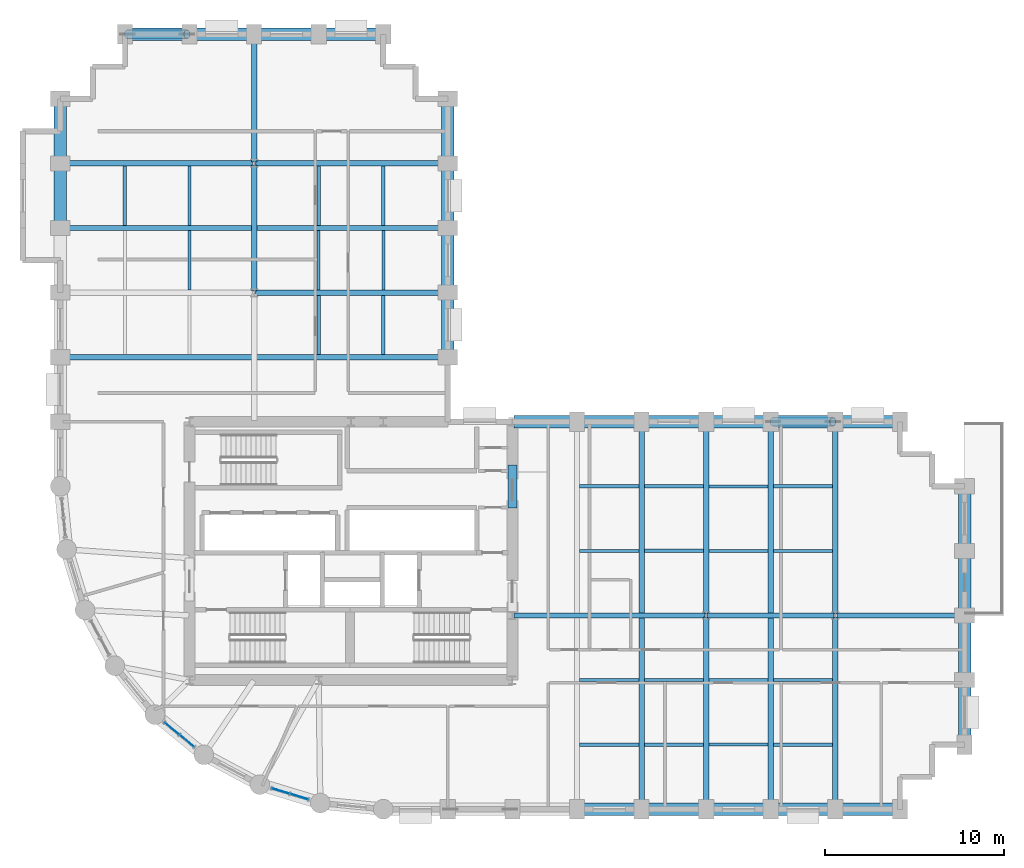
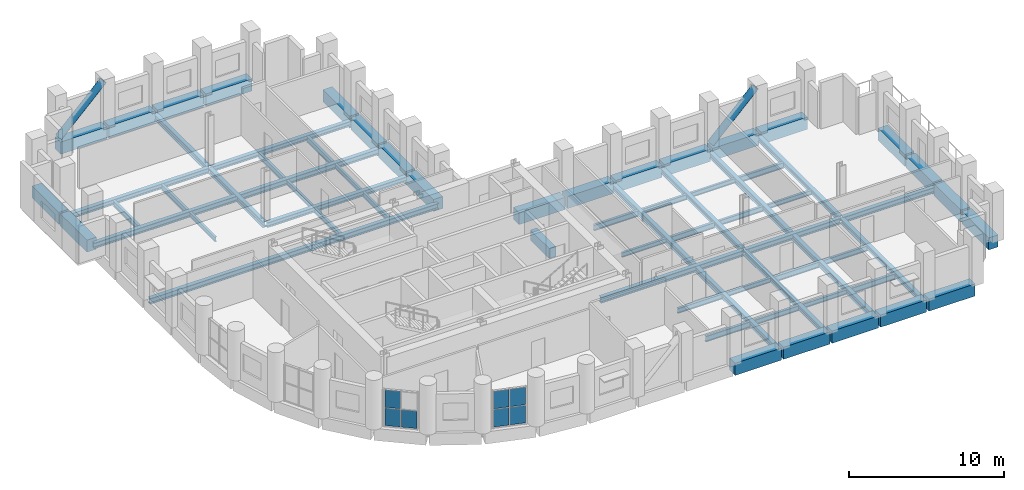
# One storey, part 6 of 13: 67 beams, 7 plates, 2 members, 2 elements without a shape of their own.
"""IFC4 building model written with IfcOpenShell, lengths in metres."""

from ifc_helpers import new_model, si_unit, direction, frame, origin, origin_2d, place, context, subcontext, project, spatial, rectangle, hollow_circle, i_section, extrude, material, layer, layer_set, material_profile, profile_set, type_object, element, aggregate, save


model = new_model("IFC4")

# Units and contexts
model_context = context("Model", 3, precision=1e-05, world=origin(), true_north=direction((0.0, 1.0)))
body_context = subcontext(model_context, "Body", "Model", "MODEL_VIEW")
ifc_project = project(units=[si_unit("LENGTHUNIT", "METRE"), si_unit("AREAUNIT", "SQUARE_METRE"), si_unit("VOLUMEUNIT", "CUBIC_METRE"), si_unit("PLANEANGLEUNIT", "RADIAN"), si_unit("MASSUNIT", "GRAM", prefix="KILO")], contexts=[model_context])

# Site, building, storey
site_placement = place(None, origin())
site = spatial("IfcSite", under=ifc_project, at=site_placement, CompositionType="ELEMENT")
building_placement = place(site_placement, origin())
building = spatial("IfcBuilding", under=site, at=building_placement, Name="Solnavia Interchange Tower", CompositionType="ELEMENT")
storey_placement = place(building_placement, frame((0.0, 0.0, 87.89990234375)))
storey = spatial("IfcBuildingStorey", under=building, at=storey_placement, Name="L21", CompositionType="ELEMENT", Elevation=87.89990234375)

# Beams
ifc_material_1 = material(Name="Concrete C50/60", Category="concrete")
ifc_material_profile_1 = material_profile(ifc_material_1, rectangle(XDim=0.5, YDim=0.800048828125, at=origin_2d()), Name="RC 500x800")
ifc_profile_set_1 = profile_set([ifc_material_profile_1], Name="Concrete C50/60")
beam_type_1 = type_object("IfcBeamType", Name="Beam-Coupling-RC500x800", PredefinedType="LINTEL", material=ifc_profile_set_1)
beam_1_placement = place(storey_placement, frame((32.39990234375, 20.39990234375, -0.39990234375), z_axis=(0.0, 1.0, 0.0), x_axis=(-1.0, 0.0, 0.0)))
element("IfcBeam", 1, at=beam_1_placement, inside=storey, type_object=beam_type_1, Name="CPB-L21-E2 Core coupling lintel beam", PredefinedType="LINTEL", context=body_context, shape_type="SweptSolid", body=[
    extrude(rectangle(XDim=0.5, YDim=0.800048828125, at=origin_2d()), origin(), (0.0, 0.0, 1.0), 2.400146484375),
])
ifc_material_2 = material(Name="Steel S460", Category="steel")
ifc_material_profile_2 = material_profile(ifc_material_2, i_section(OverallWidth=0.300048828125, OverallDepth=0.449951171875, WebThickness=0.013916015625, FlangeThickness=0.02587890625, FilletRadius=0.027099609375, at=origin_2d()), Name="HEB 450")
ifc_profile_set_2 = profile_set([ifc_material_profile_2], Name="Steel S460")
beam_type_2 = type_object("IfcBeamType", Name="Beam-Girder-HEB450", PredefinedType="BEAM", material=ifc_profile_set_2)
beam_2_placement = place(storey_placement, frame((32.47998046875, 14.39990234375, -0.474853515625), z_axis=(1.0, 0.0, 0.0), x_axis=(0.0, 1.0, 0.0)))
element("IfcBeam", 2, at=beam_2_placement, inside=storey, type_object=beam_type_2, Name="GRD-L21-ES01 East wing spine girder", PredefinedType="BEAM", context=body_context, shape_type="SweptSolid", body=[
    extrude(i_section(OverallWidth=0.300048828125, OverallDepth=0.449951171875, WebThickness=0.013916015625, FlangeThickness=0.02587890625, FilletRadius=0.027099609375, at=origin_2d()), origin(), (0.0, 0.0, 1.0), 10.64013671875),
])
for number, where, z_axis, x_axis, name in (
    (3, (43.280029296875, 14.39990234375, -0.474853515625), (1.0, 0.0, 0.0), (0.0, 1.0, 0.0), "GRD-L21-ES02 East wing spine girder"),
    (4, (50.47998046875, 14.39990234375, -0.474853515625), (1.0, 0.0, 0.0), (0.0, 1.0, 0.0), "GRD-L21-ES03 East wing spine girder"),
    (5, (18.0, 32.47998046875, -0.474853515625), (0.0, 1.0, 0.0), (-1.0, 0.0, 0.0), "GRD-L21-NS12 North wing spine girder"),
    (6, (18.0, 39.679931640625, -0.474853515625), (0.0, 1.0, 0.0), (-1.0, 0.0, 0.0), "GRD-L21-NS13 North wing spine girder"),
):
    element("IfcBeam", number, at=place(storey_placement, frame(where, z_axis=z_axis, x_axis=x_axis)), inside=storey, type_object=beam_type_2, Name=name, PredefinedType="BEAM", context=body_context, shape_type="SweptSolid", body=[
        extrude(i_section(OverallWidth=0.300048828125, OverallDepth=0.449951171875, WebThickness=0.013916015625, FlangeThickness=0.02587890625, FilletRadius=0.027099609375, at=origin_2d()), origin(), (0.0, 0.0, 1.0), 7.0400390625),
    ])
ifc_material_3 = material(Name="Steel S355", Category="steel")
ifc_material_profile_3 = material_profile(ifc_material_3, i_section(OverallWidth=0.169921875, OverallDepth=0.360107421875, WebThickness=0.008056640625, FlangeThickness=0.0126953125, FilletRadius=0.01806640625, at=origin_2d()), Name="IPE 360")
ifc_profile_set_3 = profile_set([ifc_material_profile_3], Name="Steel S355")
beam_type_3 = type_object("IfcBeamType", Name="Beam-Joist-IPE360", PredefinedType="JOIST", material=ifc_profile_set_3)
beam_3_placement = place(storey_placement, frame((43.35009765625, 7.199951171875, -0.429931640625), z_axis=(1.0, 0.0, 0.0), x_axis=(0.0, 1.0, 0.0)))
element("IfcBeam", 7, at=beam_3_placement, inside=storey, type_object=beam_type_3, Name="JST-L21-E03 East wing secondary joist", PredefinedType="JOIST", context=body_context, shape_type="SweptSolid", body=[
    extrude(i_section(OverallWidth=0.169921875, OverallDepth=0.360107421875, WebThickness=0.008056640625, FlangeThickness=0.0126953125, FilletRadius=0.01806640625, at=origin_2d()), origin(), (0.0, 0.0, 1.0), 3.2998046875),
])
for number, where, z_axis, x_axis, name in (
    (8, (39.75, 10.800048828125, -0.429931640625), (1.0, 0.0, 0.0), (0.0, 1.0, 0.0), "JST-L21-E06 East wing secondary joist"),
    (9, (36.14990234375, 18.0, -0.429931640625), (1.0, 0.0, 0.0), (0.0, 1.0, 0.0), "JST-L21-E09 East wing secondary joist"),
    (10, (46.949951171875, 18.0, -0.429931640625), (1.0, 0.0, 0.0), (0.0, 1.0, 0.0), "JST-L21-E12 East wing secondary joist"),
):
    element("IfcBeam", number, at=place(storey_placement, frame(where, z_axis=z_axis, x_axis=x_axis)), inside=storey, type_object=beam_type_3, Name=name, PredefinedType="JOIST", context=body_context, shape_type="SweptSolid", body=[
        extrude(i_section(OverallWidth=0.169921875, OverallDepth=0.360107421875, WebThickness=0.008056640625, FlangeThickness=0.0126953125, FilletRadius=0.01806640625, at=origin_2d()), origin(), (0.0, 0.0, 1.0), 3.300048828125),
    ])
beam_4_placement = place(storey_placement, frame((43.35009765625, 21.60009765625, -0.429931640625), z_axis=(1.0, 0.0, 0.0), x_axis=(0.0, 1.0, 0.0)))
element("IfcBeam", 11, at=beam_4_placement, inside=storey, type_object=beam_type_3, Name="JST-L21-E15 East wing secondary joist", PredefinedType="JOIST", context=body_context, shape_type="SweptSolid", body=[
    extrude(i_section(OverallWidth=0.169921875, OverallDepth=0.360107421875, WebThickness=0.008056640625, FlangeThickness=0.0126953125, FilletRadius=0.01806640625, at=origin_2d()), origin(), (0.0, 0.0, 1.0), 3.2998046875),
])
for number, where, z_axis, x_axis, name in (
    (12, (14.39990234375, 32.550048828125, -0.429931640625), (0.0, 1.0, 0.0), (-1.0, 0.0, 0.0), "JST-L21-N21 North wing secondary joist"),
    (13, (21.60009765625, 32.550048828125, -0.429931640625), (0.0, 1.0, 0.0), (-1.0, 0.0, 0.0), "JST-L21-N24 North wing secondary joist"),
    (14, (25.199951171875, 32.550048828125, -0.429931640625), (0.0, 1.0, 0.0), (-1.0, 0.0, 0.0), "JST-L21-N27 North wing secondary joist"),
):
    element("IfcBeam", number, at=place(storey_placement, frame(where, z_axis=z_axis, x_axis=x_axis)), inside=storey, type_object=beam_type_3, Name=name, PredefinedType="JOIST", context=body_context, shape_type="SweptSolid", body=[
        extrude(i_section(OverallWidth=0.169921875, OverallDepth=0.360107421875, WebThickness=0.008056640625, FlangeThickness=0.0126953125, FilletRadius=0.01806640625, at=origin_2d()), origin(), (0.0, 0.0, 1.0), 3.300048828125),
    ])
ifc_material_profile_4 = material_profile(ifc_material_3, i_section(OverallWidth=0.179931640625, OverallDepth=0.39990234375, WebThickness=0.008544921875, FlangeThickness=0.013427734375, FilletRadius=0.02099609375, at=origin_2d()), Name="IPE 400")
ifc_profile_set_4 = profile_set([ifc_material_profile_4], Name="Steel S355")
beam_type_4 = type_object("IfcBeamType", Name="Beam-Joist-IPE400", PredefinedType="JOIST", material=ifc_profile_set_4)
for number, where, z_axis, x_axis, name in (
    (15, (39.75, 7.199951171875, -0.449951171875), (1.0, 0.0, 0.0), (0.0, 1.0, 0.0), "JST-L21-E02 East wing secondary joist"),
    (16, (36.14990234375, 10.800048828125, -0.449951171875), (1.0, 0.0, 0.0), (0.0, 1.0, 0.0), "JST-L21-E05 East wing secondary joist"),
    (17, (46.949951171875, 10.800048828125, -0.449951171875), (1.0, 0.0, 0.0), (0.0, 1.0, 0.0), "JST-L21-E08 East wing secondary joist"),
):
    element("IfcBeam", number, at=place(storey_placement, frame(where, z_axis=z_axis, x_axis=x_axis)), inside=storey, type_object=beam_type_4, Name=name, PredefinedType="JOIST", context=body_context, shape_type="SweptSolid", body=[
        extrude(i_section(OverallWidth=0.179931640625, OverallDepth=0.39990234375, WebThickness=0.008544921875, FlangeThickness=0.013427734375, FilletRadius=0.02099609375, at=origin_2d()), origin(), (0.0, 0.0, 1.0), 3.300048828125),
    ])
beam_5_placement = place(storey_placement, frame((43.35009765625, 18.0, -0.449951171875), z_axis=(1.0, 0.0, 0.0), x_axis=(0.0, 1.0, 0.0)))
element("IfcBeam", 18, at=beam_5_placement, inside=storey, type_object=beam_type_4, Name="JST-L21-E11 East wing secondary joist", PredefinedType="JOIST", context=body_context, shape_type="SweptSolid", body=[
    extrude(i_section(OverallWidth=0.179931640625, OverallDepth=0.39990234375, WebThickness=0.008544921875, FlangeThickness=0.013427734375, FilletRadius=0.02099609375, at=origin_2d()), origin(), (0.0, 0.0, 1.0), 3.2998046875),
])
for number, where, z_axis, x_axis, name in (
    (19, (39.75, 21.60009765625, -0.449951171875), (1.0, 0.0, 0.0), (0.0, 1.0, 0.0), "JST-L21-E14 East wing secondary joist"),
    (20, (21.60009765625, 28.949951171875, -0.449951171875), (0.0, 1.0, 0.0), (-1.0, 0.0, 0.0), "JST-L21-N23 North wing secondary joist"),
    (21, (25.199951171875, 28.949951171875, -0.449951171875), (0.0, 1.0, 0.0), (-1.0, 0.0, 0.0), "JST-L21-N26 North wing secondary joist"),
):
    element("IfcBeam", number, at=place(storey_placement, frame(where, z_axis=z_axis, x_axis=x_axis)), inside=storey, type_object=beam_type_4, Name=name, PredefinedType="JOIST", context=body_context, shape_type="SweptSolid", body=[
        extrude(i_section(OverallWidth=0.179931640625, OverallDepth=0.39990234375, WebThickness=0.008544921875, FlangeThickness=0.013427734375, FilletRadius=0.02099609375, at=origin_2d()), origin(), (0.0, 0.0, 1.0), 3.300048828125),
    ])
ifc_material_profile_5 = material_profile(ifc_material_3, i_section(OverallWidth=0.18994140625, OverallDepth=0.449951171875, WebThickness=0.009521484375, FlangeThickness=0.0146484375, FilletRadius=0.02099609375, at=origin_2d()), Name="IPE 450")
ifc_profile_set_5 = profile_set([ifc_material_profile_5], Name="Steel S355")
beam_type_5 = type_object("IfcBeamType", Name="Beam-Joist-IPE450", PredefinedType="JOIST", material=ifc_profile_set_5)
for number, where, z_axis, x_axis, name in (
    (22, (36.14990234375, 7.199951171875, -0.474853515625), (1.0, 0.0, 0.0), (0.0, 1.0, 0.0), "JST-L21-E01 East wing secondary joist"),
    (23, (46.949951171875, 7.199951171875, -0.474853515625), (1.0, 0.0, 0.0), (0.0, 1.0, 0.0), "JST-L21-E04 East wing secondary joist"),
):
    element("IfcBeam", number, at=place(storey_placement, frame(where, z_axis=z_axis, x_axis=x_axis)), inside=storey, type_object=beam_type_5, Name=name, PredefinedType="JOIST", context=body_context, shape_type="SweptSolid", body=[
        extrude(i_section(OverallWidth=0.18994140625, OverallDepth=0.449951171875, WebThickness=0.009521484375, FlangeThickness=0.0146484375, FilletRadius=0.02099609375, at=origin_2d()), origin(), (0.0, 0.0, 1.0), 3.300048828125),
    ])
beam_6_placement = place(storey_placement, frame((43.35009765625, 10.800048828125, -0.474853515625), z_axis=(1.0, 0.0, 0.0), x_axis=(0.0, 1.0, 0.0)))
element("IfcBeam", 24, at=beam_6_placement, inside=storey, type_object=beam_type_5, Name="JST-L21-E07 East wing secondary joist", PredefinedType="JOIST", context=body_context, shape_type="SweptSolid", body=[
    extrude(i_section(OverallWidth=0.18994140625, OverallDepth=0.449951171875, WebThickness=0.009521484375, FlangeThickness=0.0146484375, FilletRadius=0.02099609375, at=origin_2d()), origin(), (0.0, 0.0, 1.0), 3.2998046875),
])
for number, where, z_axis, x_axis, name in (
    (25, (39.75, 18.0, -0.474853515625), (1.0, 0.0, 0.0), (0.0, 1.0, 0.0), "JST-L21-E10 East wing secondary joist"),
    (26, (36.14990234375, 21.60009765625, -0.474853515625), (1.0, 0.0, 0.0), (0.0, 1.0, 0.0), "JST-L21-E13 East wing secondary joist"),
    (27, (46.949951171875, 21.60009765625, -0.474853515625), (1.0, 0.0, 0.0), (0.0, 1.0, 0.0), "JST-L21-E16 East wing secondary joist"),
    (28, (10.800048828125, 36.14990234375, -0.474853515625), (0.0, 1.0, 0.0), (-1.0, 0.0, 0.0), "JST-L21-N19 North wing secondary joist"),
    (29, (14.39990234375, 36.14990234375, -0.474853515625), (0.0, 1.0, 0.0), (-1.0, 0.0, 0.0), "JST-L21-N22 North wing secondary joist"),
    (30, (21.60009765625, 36.14990234375, -0.474853515625), (0.0, 1.0, 0.0), (-1.0, 0.0, 0.0), "JST-L21-N25 North wing secondary joist"),
    (31, (25.199951171875, 36.14990234375, -0.474853515625), (0.0, 1.0, 0.0), (-1.0, 0.0, 0.0), "JST-L21-N28 North wing secondary joist"),
):
    element("IfcBeam", number, at=place(storey_placement, frame(where, z_axis=z_axis, x_axis=x_axis)), inside=storey, type_object=beam_type_5, Name=name, PredefinedType="JOIST", context=body_context, shape_type="SweptSolid", body=[
        extrude(i_section(OverallWidth=0.18994140625, OverallDepth=0.449951171875, WebThickness=0.009521484375, FlangeThickness=0.0146484375, FilletRadius=0.02099609375, at=origin_2d()), origin(), (0.0, 0.0, 1.0), 3.300048828125),
    ])
ifc_material_profile_6 = material_profile(ifc_material_3, i_section(OverallWidth=0.300048828125, OverallDepth=0.389892578125, WebThickness=0.010986328125, FlangeThickness=0.01904296875, FilletRadius=0.027099609375, at=origin_2d()), Name="HEA 400")
ifc_profile_set_6 = profile_set([ifc_material_profile_6], Name="Steel S355")
beam_type_6 = type_object("IfcBeamType", Name="Beam-Primary-HEA400", PredefinedType="BEAM", material=ifc_profile_set_6)
for number, where, z_axis, x_axis, name in (
    (32, (43.199951171875, 3.679931640625, -0.44482421875), (0.0, 1.0, 0.0), (-1.0, 0.0, 0.0), "GRD-L21-EW06 East wing primary floor girder"),
    (33, (43.199951171875, 14.47998046875, -0.44482421875), (0.0, 1.0, 0.0), (-1.0, 0.0, 0.0), "GRD-L21-EW07 East wing primary floor girder"),
    (34, (50.39990234375, 3.679931640625, -0.44482421875), (0.0, 1.0, 0.0), (-1.0, 0.0, 0.0), "GRD-L21-EW09 East wing primary floor girder"),
    (35, (50.39990234375, 14.47998046875, -0.44482421875), (0.0, 1.0, 0.0), (-1.0, 0.0, 0.0), "GRD-L21-EW10 East wing primary floor girder"),
):
    element("IfcBeam", number, at=place(storey_placement, frame(where, z_axis=z_axis, x_axis=x_axis)), inside=storey, type_object=beam_type_6, Name=name, PredefinedType="BEAM", context=body_context, shape_type="SweptSolid", body=[
        extrude(i_section(OverallWidth=0.300048828125, OverallDepth=0.389892578125, WebThickness=0.010986328125, FlangeThickness=0.01904296875, FilletRadius=0.027099609375, at=origin_2d()), origin(), (0.0, 0.0, 1.0), 10.64013671875),
    ])
for number, where, z_axis, x_axis, name in (
    (36, (18.080078125, 32.39990234375, -0.44482421875), (1.0, 0.0, 0.0), (0.0, 1.0, 0.0), "GRD-L21-NW16 North wing primary floor girder"),
    (37, (7.280029296875, 39.60009765625, -0.44482421875), (1.0, 0.0, 0.0), (0.0, 1.0, 0.0), "GRD-L21-NW18 North wing primary floor girder"),
    (38, (18.080078125, 39.60009765625, -0.44482421875), (1.0, 0.0, 0.0), (0.0, 1.0, 0.0), "GRD-L21-NW19 North wing primary floor girder"),
):
    element("IfcBeam", number, at=place(storey_placement, frame(where, z_axis=z_axis, x_axis=x_axis)), inside=storey, type_object=beam_type_6, Name=name, PredefinedType="BEAM", context=body_context, shape_type="SweptSolid", body=[
        extrude(i_section(OverallWidth=0.300048828125, OverallDepth=0.389892578125, WebThickness=0.010986328125, FlangeThickness=0.01904296875, FilletRadius=0.027099609375, at=origin_2d()), origin(), (0.0, 0.0, 1.0), 10.639892578125),
    ])
ifc_material_profile_7 = material_profile(ifc_material_3, i_section(OverallWidth=0.300048828125, OverallDepth=0.43994140625, WebThickness=0.011474609375, FlangeThickness=0.02099609375, FilletRadius=0.027099609375, at=origin_2d()), Name="HEA 450")
ifc_profile_set_7 = profile_set([ifc_material_profile_7], Name="Steel S355")
beam_type_7 = type_object("IfcBeamType", Name="Beam-Primary-HEA450", PredefinedType="BEAM", material=ifc_profile_set_7)
for number, where, z_axis, x_axis, name in (
    (39, (39.60009765625, 3.679931640625, -0.469970703125), (0.0, 1.0, 0.0), (-1.0, 0.0, 0.0), "GRD-L21-EW05 East wing primary floor girder"),
    (40, (46.800048828125, 3.679931640625, -0.469970703125), (0.0, 1.0, 0.0), (-1.0, 0.0, 0.0), "GRD-L21-EW08 East wing primary floor girder"),
):
    element("IfcBeam", number, at=place(storey_placement, frame(where, z_axis=z_axis, x_axis=x_axis)), inside=storey, type_object=beam_type_7, Name=name, PredefinedType="BEAM", context=body_context, shape_type="SweptSolid", body=[
        extrude(i_section(OverallWidth=0.300048828125, OverallDepth=0.43994140625, WebThickness=0.011474609375, FlangeThickness=0.02099609375, FilletRadius=0.027099609375, at=origin_2d()), origin(), (0.0, 0.0, 1.0), 21.440185546875),
    ])
for number, where, z_axis, x_axis, name in (
    (41, (7.280029296875, 28.800048828125, -0.469970703125), (1.0, 0.0, 0.0), (0.0, 1.0, 0.0), "GRD-L21-NW14 North wing primary floor girder"),
    (42, (7.280029296875, 36.0, -0.469970703125), (1.0, 0.0, 0.0), (0.0, 1.0, 0.0), "GRD-L21-NW17 North wing primary floor girder"),
):
    element("IfcBeam", number, at=place(storey_placement, frame(where, z_axis=z_axis, x_axis=x_axis)), inside=storey, type_object=beam_type_7, Name=name, PredefinedType="BEAM", context=body_context, shape_type="SweptSolid", body=[
        extrude(i_section(OverallWidth=0.300048828125, OverallDepth=0.43994140625, WebThickness=0.011474609375, FlangeThickness=0.02099609375, FilletRadius=0.027099609375, at=origin_2d()), origin(), (0.0, 0.0, 1.0), 21.43994140625),
    ])
ifc_material_profile_8 = material_profile(ifc_material_1, rectangle(XDim=0.699951171875, YDim=0.949951171875, at=origin_2d()), Name="RC 700x950")
ifc_profile_set_8 = profile_set([ifc_material_profile_8], Name="Concrete C50/60")
beam_type_8 = type_object("IfcBeamType", Name="Beam-Spandrel-RC700x950", PredefinedType="SPANDREL", material=ifc_profile_set_8)
beam_7_placement = place(storey_placement, frame((36.080078125, 3.60009765625, -0.474853515625), z_axis=(1.0, 0.0, 0.0), x_axis=(0.0, 1.0, 0.0)))
element("IfcBeam", 43, at=beam_7_placement, inside=storey, type_object=beam_type_8, Name="SPB-L21-12 Framed-tube perimeter spandrel beam", PredefinedType="SPANDREL", context=body_context, shape_type="SweptSolid", body=[
    extrude(rectangle(XDim=0.699951171875, YDim=0.949951171875, at=origin_2d()), origin(), (0.0, 0.0, 1.0), 3.43994140625),
])
beam_8_placement = place(storey_placement, frame((39.679931640625, 3.60009765625, -0.474853515625), z_axis=(1.0, 0.0, 0.0), x_axis=(0.0, 1.0, 0.0)))
element("IfcBeam", 44, at=beam_8_placement, inside=storey, type_object=beam_type_8, Name="SPB-L21-13 Framed-tube perimeter spandrel beam", PredefinedType="SPANDREL", context=body_context, shape_type="SweptSolid", body=[
    extrude(rectangle(XDim=0.699951171875, YDim=0.949951171875, at=origin_2d()), origin(), (0.0, 0.0, 1.0), 3.440185546875),
])
beam_9_placement = place(storey_placement, frame((43.280029296875, 3.60009765625, -0.474853515625), z_axis=(1.0, 0.0, 0.0), x_axis=(0.0, 1.0, 0.0)))
element("IfcBeam", 45, at=beam_9_placement, inside=storey, type_object=beam_type_8, Name="SPB-L21-14 Framed-tube perimeter spandrel beam", PredefinedType="SPANDREL", context=body_context, shape_type="SweptSolid", body=[
    extrude(rectangle(XDim=0.699951171875, YDim=0.949951171875, at=origin_2d()), origin(), (0.0, 0.0, 1.0), 3.43994140625),
])
beam_10_placement = place(storey_placement, frame((46.8798828125, 3.60009765625, -0.474853515625), z_axis=(1.0, 0.0, 0.0), x_axis=(0.0, 1.0, 0.0)))
element("IfcBeam", 46, at=beam_10_placement, inside=storey, type_object=beam_type_8, Name="SPB-L21-15 Framed-tube perimeter spandrel beam", PredefinedType="SPANDREL", context=body_context, shape_type="SweptSolid", body=[
    extrude(rectangle(XDim=0.699951171875, YDim=0.949951171875, at=origin_2d()), origin(), (0.0, 0.0, 1.0), 3.440185546875),
])
for number, where, z_axis, x_axis, name in (
    (47, (50.47998046875, 3.60009765625, -0.474853515625), (1.0, 0.0, 0.0), (0.0, 1.0, 0.0), "SPB-L21-16 Framed-tube perimeter spandrel beam"),
    (48, (57.60009765625, 7.280029296875, -0.474853515625), (0.0, 1.0, 0.0), (-1.0, 0.0, 0.0), "SPB-L21-17 Framed-tube perimeter spandrel beam"),
):
    element("IfcBeam", number, at=place(storey_placement, frame(where, z_axis=z_axis, x_axis=x_axis)), inside=storey, type_object=beam_type_8, Name=name, PredefinedType="SPANDREL", context=body_context, shape_type="SweptSolid", body=[
        extrude(rectangle(XDim=0.699951171875, YDim=0.949951171875, at=origin_2d()), origin(), (0.0, 0.0, 1.0), 3.43994140625),
    ])
beam_11_placement = place(storey_placement, frame((57.60009765625, 10.8798828125, -0.474853515625), z_axis=(0.0, 1.0, 0.0), x_axis=(-1.0, 0.0, 0.0)))
element("IfcBeam", 49, at=beam_11_placement, inside=storey, type_object=beam_type_8, Name="SPB-L21-18 Framed-tube perimeter spandrel beam", PredefinedType="SPANDREL", context=body_context, shape_type="SweptSolid", body=[
    extrude(rectangle(XDim=0.699951171875, YDim=0.949951171875, at=origin_2d()), origin(), (0.0, 0.0, 1.0), 3.440185546875),
])
for number, where, z_axis, x_axis, name in (
    (50, (57.60009765625, 14.47998046875, -0.474853515625), (0.0, 1.0, 0.0), (-1.0, 0.0, 0.0), "SPB-L21-19 Framed-tube perimeter spandrel beam"),
    (51, (57.60009765625, 18.080078125, -0.474853515625), (0.0, 1.0, 0.0), (-1.0, 0.0, 0.0), "SPB-L21-20 Framed-tube perimeter spandrel beam"),
    (52, (53.919921875, 25.199951171875, -0.474853515625), (-1.0, 0.0, 0.0), (0.0, -1.0, 0.0), "SPB-L21-21 Framed-tube perimeter spandrel beam"),
):
    element("IfcBeam", number, at=place(storey_placement, frame(where, z_axis=z_axis, x_axis=x_axis)), inside=storey, type_object=beam_type_8, Name=name, PredefinedType="SPANDREL", context=body_context, shape_type="SweptSolid", body=[
        extrude(rectangle(XDim=0.699951171875, YDim=0.949951171875, at=origin_2d()), origin(), (0.0, 0.0, 1.0), 3.43994140625),
    ])
beam_12_placement = place(storey_placement, frame((50.320068359375, 25.199951171875, -0.474853515625), z_axis=(-1.0, 0.0, 0.0), x_axis=(0.0, -1.0, 0.0)))
element("IfcBeam", 53, at=beam_12_placement, inside=storey, type_object=beam_type_8, Name="SPB-L21-22 Framed-tube perimeter spandrel beam", PredefinedType="SPANDREL", context=body_context, shape_type="SweptSolid", body=[
    extrude(rectangle(XDim=0.699951171875, YDim=0.949951171875, at=origin_2d()), origin(), (0.0, 0.0, 1.0), 3.440185546875),
])
beam_13_placement = place(storey_placement, frame((46.719970703125, 25.199951171875, -0.474853515625), z_axis=(-1.0, 0.0, 0.0), x_axis=(0.0, -1.0, 0.0)))
element("IfcBeam", 54, at=beam_13_placement, inside=storey, type_object=beam_type_8, Name="SPB-L21-23 Framed-tube perimeter spandrel beam", PredefinedType="SPANDREL", context=body_context, shape_type="SweptSolid", body=[
    extrude(rectangle(XDim=0.699951171875, YDim=0.949951171875, at=origin_2d()), origin(), (0.0, 0.0, 1.0), 3.43994140625),
])
beam_14_placement = place(storey_placement, frame((43.1201171875, 25.199951171875, -0.474853515625), z_axis=(-1.0, 0.0, 0.0), x_axis=(0.0, -1.0, 0.0)))
element("IfcBeam", 55, at=beam_14_placement, inside=storey, type_object=beam_type_8, Name="SPB-L21-24 Framed-tube perimeter spandrel beam", PredefinedType="SPANDREL", context=body_context, shape_type="SweptSolid", body=[
    extrude(rectangle(XDim=0.699951171875, YDim=0.949951171875, at=origin_2d()), origin(), (0.0, 0.0, 1.0), 3.440185546875),
])
for number, where, z_axis, x_axis, name in (
    (56, (39.52001953125, 25.199951171875, -0.474853515625), (-1.0, 0.0, 0.0), (0.0, -1.0, 0.0), "SPB-L21-25 Framed-tube perimeter spandrel beam"),
    (57, (35.919921875, 25.199951171875, -0.474853515625), (-1.0, 0.0, 0.0), (0.0, -1.0, 0.0), "SPB-L21-26 Framed-tube perimeter spandrel beam"),
):
    element("IfcBeam", number, at=place(storey_placement, frame(where, z_axis=z_axis, x_axis=x_axis)), inside=storey, type_object=beam_type_8, Name=name, PredefinedType="SPANDREL", context=body_context, shape_type="SweptSolid", body=[
        extrude(rectangle(XDim=0.699951171875, YDim=0.949951171875, at=origin_2d()), origin(), (0.0, 0.0, 1.0), 3.43994140625),
    ])
beam_15_placement = place(storey_placement, frame((28.800048828125, 28.8798828125, -0.474853515625), z_axis=(0.0, 1.0, 0.0), x_axis=(-1.0, 0.0, 0.0)))
element("IfcBeam", 58, at=beam_15_placement, inside=storey, type_object=beam_type_8, Name="SPB-L21-27 Framed-tube perimeter spandrel beam", PredefinedType="SPANDREL", context=body_context, shape_type="SweptSolid", body=[
    extrude(rectangle(XDim=0.699951171875, YDim=0.949951171875, at=origin_2d()), origin(), (0.0, 0.0, 1.0), 3.440185546875),
])
for number, where, z_axis, x_axis, name in (
    (59, (28.800048828125, 32.47998046875, -0.474853515625), (0.0, 1.0, 0.0), (-1.0, 0.0, 0.0), "SPB-L21-28 Framed-tube perimeter spandrel beam"),
    (60, (28.800048828125, 36.080078125, -0.474853515625), (0.0, 1.0, 0.0), (-1.0, 0.0, 0.0), "SPB-L21-29 Framed-tube perimeter spandrel beam"),
):
    element("IfcBeam", number, at=place(storey_placement, frame(where, z_axis=z_axis, x_axis=x_axis)), inside=storey, type_object=beam_type_8, Name=name, PredefinedType="SPANDREL", context=body_context, shape_type="SweptSolid", body=[
        extrude(rectangle(XDim=0.699951171875, YDim=0.949951171875, at=origin_2d()), origin(), (0.0, 0.0, 1.0), 3.43994140625),
    ])
for number, where, z_axis, x_axis, name in (
    (61, (28.800048828125, 39.679931640625, -0.474853515625), (0.0, 1.0, 0.0), (-1.0, 0.0, 0.0), "SPB-L21-30 Framed-tube perimeter spandrel beam"),
    (62, (25.1201171875, 46.800048828125, -0.474853515625), (-1.0, 0.0, 0.0), (0.0, -1.0, 0.0), "SPB-L21-31 Framed-tube perimeter spandrel beam"),
):
    element("IfcBeam", number, at=place(storey_placement, frame(where, z_axis=z_axis, x_axis=x_axis)), inside=storey, type_object=beam_type_8, Name=name, PredefinedType="SPANDREL", context=body_context, shape_type="SweptSolid", body=[
        extrude(rectangle(XDim=0.699951171875, YDim=0.949951171875, at=origin_2d()), origin(), (0.0, 0.0, 1.0), 3.440185546875),
    ])
for number, where, z_axis, x_axis, name in (
    (63, (21.52001953125, 46.800048828125, -0.474853515625), (-1.0, 0.0, 0.0), (0.0, -1.0, 0.0), "SPB-L21-32 Framed-tube perimeter spandrel beam"),
    (64, (17.919921875, 46.800048828125, -0.474853515625), (-1.0, 0.0, 0.0), (0.0, -1.0, 0.0), "SPB-L21-33 Framed-tube perimeter spandrel beam"),
):
    element("IfcBeam", number, at=place(storey_placement, frame(where, z_axis=z_axis, x_axis=x_axis)), inside=storey, type_object=beam_type_8, Name=name, PredefinedType="SPANDREL", context=body_context, shape_type="SweptSolid", body=[
        extrude(rectangle(XDim=0.699951171875, YDim=0.949951171875, at=origin_2d()), origin(), (0.0, 0.0, 1.0), 3.43994140625),
    ])
for number, where, z_axis, x_axis, name in (
    (65, (14.320068359375, 46.800048828125, -0.474853515625), (-1.0, 0.0, 0.0), (0.0, -1.0, 0.0), "SPB-L21-34 Framed-tube perimeter spandrel beam"),
    (66, (7.199951171875, 43.1201171875, -0.474853515625), (0.0, -1.0, 0.0), (1.0, 0.0, 0.0), "SPB-L21-35 Framed-tube perimeter spandrel beam"),
):
    element("IfcBeam", number, at=place(storey_placement, frame(where, z_axis=z_axis, x_axis=x_axis)), inside=storey, type_object=beam_type_8, Name=name, PredefinedType="SPANDREL", context=body_context, shape_type="SweptSolid", body=[
        extrude(rectangle(XDim=0.699951171875, YDim=0.949951171875, at=origin_2d()), origin(), (0.0, 0.0, 1.0), 3.440185546875),
    ])
beam_16_placement = place(storey_placement, frame((7.199951171875, 39.52001953125, -0.474853515625), z_axis=(0.0, -1.0, 0.0), x_axis=(1.0, 0.0, 0.0)))
element("IfcBeam", 67, at=beam_16_placement, inside=storey, type_object=beam_type_8, Name="SPB-L21-36 Framed-tube perimeter spandrel beam", PredefinedType="SPANDREL", context=body_context, shape_type="SweptSolid", body=[
    extrude(rectangle(XDim=0.699951171875, YDim=0.949951171875, at=origin_2d()), origin(), (0.0, 0.0, 1.0), 3.43994140625),
])

# Members
ifc_material_profile_9 = material_profile(ifc_material_2, hollow_circle(Radius=0.25390625, WallThickness=0.02490234375, at=origin_2d()), Name="CHS 508x25")
ifc_profile_set_9 = profile_set([ifc_material_profile_9], Name="Steel S460")
member_type = type_object("IfcMemberType", Name="Brace-Perim-CHS508", PredefinedType="BRACE", material=ifc_profile_set_9)
for number, where, z_axis, x_axis, name in (
    (68, (10.93994140625, 46.800048828125, 0.18017578125), (0.710311792477, 0.0, 0.703887176661), (0.0, 1.0, 0.0), "BRC-L21-02 Perimeter tube diagonal brace"),
    (69, (46.93994140625, 25.199951171875, 0.18017578125), (0.710311792477, 0.0, 0.703887176661), (0.0, 1.0, 0.0), "BRC-L21-03 Perimeter tube diagonal brace"),
):
    element("IfcMember", number, at=place(storey_placement, frame(where, z_axis=z_axis, x_axis=x_axis)), inside=storey, type_object=member_type, Name=name, PredefinedType="BRACE", context=body_context, shape_type="SweptSolid", body=[
        extrude(hollow_circle(Radius=0.25390625, WallThickness=0.02490234375, at=origin_2d()), origin(), (0.0, 0.0, 1.0), 4.674072265625),
    ])

# Curtain wall, plates
ifc_material_4 = material(Name="Aluminium Alloy 6063-T6", Category="aluminium")
ifc_layer_1 = layer(ifc_material_4, 0.239990234375)
ifc_layer_set_1 = layer_set([ifc_layer_1], Name="Aluminium Alloy 6063-T6")
curtain_wall_type = type_object("IfcCurtainWallType", Name="CurtainWall-Drum-CTW2", PredefinedType="NOTDEFINED", material=ifc_layer_set_1)
curtain_wall_1_placement = place(storey_placement, origin())
curtain_wall_1 = element("IfcCurtainWall", 70, at=curtain_wall_1_placement, inside=storey, type_object=curtain_wall_type, Name="CTW-L21-D59 CTW-2 curtain wall", PredefinedType="NOTDEFINED")
ifc_material_5 = material(Name="Double-Glazed Low-E IGU Glass", Category="glass")
ifc_layer_2 = layer(ifc_material_5, 0.031982421875)
ifc_layer_set_2 = layer_set([ifc_layer_2], Name="Double-Glazed Low-E IGU Glass")
plate_type = type_object("IfcPlateType", Name="CW-Panel-Solar-32", PredefinedType="CURTAIN_PANEL", material=ifc_layer_set_2)
plate_1_placement = place(storey_placement, frame((13.4150390625, 8.098388671875, 0.06494140625), z_axis=(0.0, 0.0, 1.0), x_axis=(0.773094572227, -0.634290771172, 0.0)))
plate_1 = element("IfcPlate", 71, at=plate_1_placement, type_object=plate_type, Name="CTW-2 panel 1.1", PredefinedType="CURTAIN_PANEL", context=body_context, shape_type="SweptSolid", body=[
    extrude(rectangle(XDim=1.01416015625, YDim=0.031982421875, at=origin_2d()), origin(), (0.0, 0.0, 1.0), 1.367431640625),
])
plate_2_placement = place(storey_placement, frame((13.4150390625, 8.098388671875, 1.49755859375), z_axis=(0.0, 0.0, 1.0), x_axis=(0.773094572227, -0.634290771172, 0.0)))
plate_2 = element("IfcPlate", 72, at=plate_2_placement, type_object=plate_type, Name="CTW-2 panel 1.2", PredefinedType="CURTAIN_PANEL", context=body_context, shape_type="SweptSolid", body=[
    extrude(rectangle(XDim=1.01416015625, YDim=0.031982421875, at=origin_2d()), origin(), (0.0, 0.0, 1.0), 1.367431640625),
])
plate_3_placement = place(storey_placement, frame((14.257080078125, 7.407470703125, 0.06494140625), z_axis=(0.0, 0.0, 1.0), x_axis=(0.773094572227, -0.634290771172, 0.0)))
plate_3 = element("IfcPlate", 73, at=plate_3_placement, type_object=plate_type, Name="CTW-2 panel 2.1", PredefinedType="CURTAIN_PANEL", context=body_context, shape_type="SweptSolid", body=[
    extrude(rectangle(XDim=1.01416015625, YDim=0.031982421875, at=origin_2d()), origin(), (0.0, 0.0, 1.0), 1.367431640625),
])
aggregate(curtain_wall_1, [plate_1, plate_2, plate_3])

curtain_wall_2_placement = place(storey_placement, origin())
curtain_wall_2 = element("IfcCurtainWall", 74, at=curtain_wall_2_placement, inside=storey, type_object=curtain_wall_type, Name="CTW-L21-D61 CTW-2 curtain wall", PredefinedType="NOTDEFINED")
plate_4_placement = place(storey_placement, frame((19.47900390625, 4.615966796875, 0.06494140625), z_axis=(0.0, 0.0, 1.0), x_axis=(0.956934759739, -0.290303058206, 0.0)))
plate_4 = element("IfcPlate", 75, at=plate_4_placement, type_object=plate_type, Name="CTW-2 panel 1.1", PredefinedType="CURTAIN_PANEL", context=body_context, shape_type="SweptSolid", body=[
    extrude(rectangle(XDim=1.013916015625, YDim=0.031982421875, at=origin_2d()), origin(), (0.0, 0.0, 1.0), 1.367431640625),
])
plate_5_placement = place(storey_placement, frame((19.47900390625, 4.615966796875, 1.49755859375), z_axis=(0.0, 0.0, 1.0), x_axis=(0.956934759739, -0.290303058206, 0.0)))
plate_5 = element("IfcPlate", 76, at=plate_5_placement, type_object=plate_type, Name="CTW-2 panel 1.2", PredefinedType="CURTAIN_PANEL", context=body_context, shape_type="SweptSolid", body=[
    extrude(rectangle(XDim=1.013916015625, YDim=0.031982421875, at=origin_2d()), origin(), (0.0, 0.0, 1.0), 1.367431640625),
])
plate_6_placement = place(storey_placement, frame((20.52099609375, 4.300048828125, 0.06494140625), z_axis=(0.0, 0.0, 1.0), x_axis=(0.956934759739, -0.290303058206, 0.0)))
plate_6 = element("IfcPlate", 77, at=plate_6_placement, type_object=plate_type, Name="CTW-2 panel 2.1", PredefinedType="CURTAIN_PANEL", context=body_context, shape_type="SweptSolid", body=[
    extrude(rectangle(XDim=1.013916015625, YDim=0.031982421875, at=origin_2d()), origin(), (0.0, 0.0, 1.0), 1.367431640625),
])
plate_7_placement = place(storey_placement, frame((20.52099609375, 4.300048828125, 1.49755859375), z_axis=(0.0, 0.0, 1.0), x_axis=(0.956934759739, -0.290303058206, 0.0)))
plate_7 = element("IfcPlate", 78, at=plate_7_placement, type_object=plate_type, Name="CTW-2 panel 2.2", PredefinedType="CURTAIN_PANEL", context=body_context, shape_type="SweptSolid", body=[
    extrude(rectangle(XDim=1.013916015625, YDim=0.031982421875, at=origin_2d()), origin(), (0.0, 0.0, 1.0), 1.367431640625),
])
aggregate(curtain_wall_2, [plate_4, plate_5, plate_6, plate_7])

save(model, "model.ifc")
